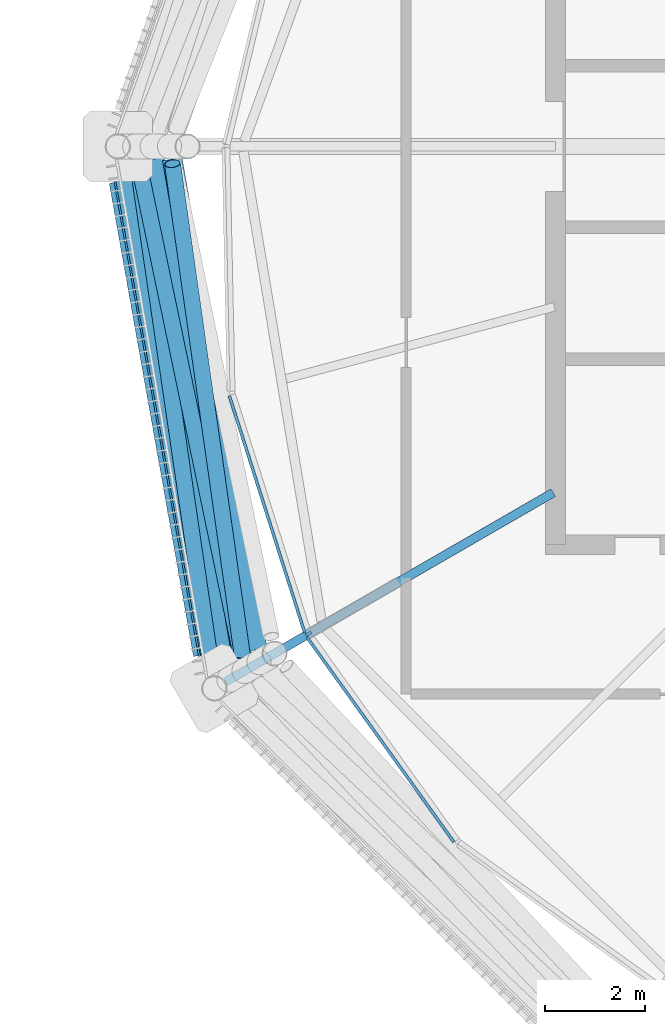
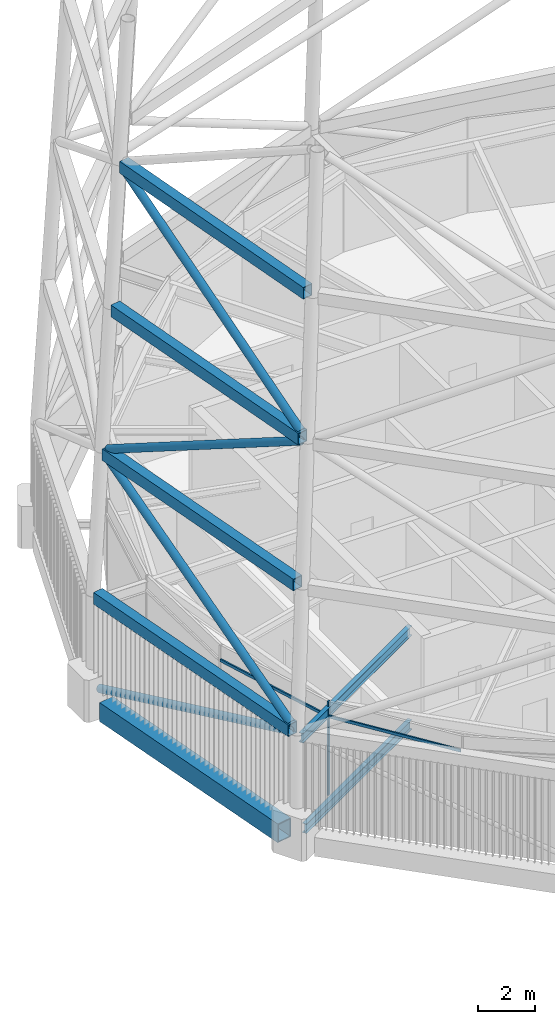
# One storey, part 39 of 71: 7 beams, 7 members, 1 element without a shape of its own.
"""IFC4 building model written with IfcOpenShell, lengths in metres."""

from ifc_helpers import new_model, si_unit, direction, frame, origin, origin_2d, place, context, subcontext, project, spatial, rectangle, hollow_rectangle, hollow_circle, i_section, extrude, material, material_profile, profile_set, type_object, element, aggregate, save


model = new_model("IFC4")

# Units and contexts
model_context = context("Model", 3, precision=1e-05, world=origin(), true_north=direction((0.0, 1.0)))
body_context = subcontext(model_context, "Body", "Model", "MODEL_VIEW")
ifc_project = project(units=[si_unit("LENGTHUNIT", "METRE"), si_unit("AREAUNIT", "SQUARE_METRE"), si_unit("VOLUMEUNIT", "CUBIC_METRE"), si_unit("PLANEANGLEUNIT", "RADIAN"), si_unit("MASSUNIT", "GRAM", prefix="KILO")], contexts=[model_context])

# Site, building, storey
site_placement = place(None, origin())
site = spatial("IfcSite", under=ifc_project, at=site_placement, CompositionType="ELEMENT")
building_placement = place(site_placement, origin())
building = spatial("IfcBuilding", under=site, at=building_placement, Name="Rimbun Link Towers", CompositionType="ELEMENT")
storey_placement = place(building_placement, frame((0.0, 0.0, 267.60009765625)))
storey = spatial("IfcBuildingStorey", under=building, at=storey_placement, Name="L65", CompositionType="ELEMENT", Elevation=267.60009765625)

# Curtain wall, members
ifc_material_1 = material(Name="Aluminium 6063-T6 louvre wall", Category="aluminium")
curtain_wall_type = type_object("IfcCurtainWallType", Name="CW6 plant floor louvre wall", PredefinedType="NOTDEFINED", material=ifc_material_1)
curtain_wall_placement = place(storey_placement, origin())
curtain_wall = element("IfcCurtainWall", 1, at=curtain_wall_placement, inside=storey, type_object=curtain_wall_type, Name="CW6 L65 T2", PredefinedType="NOTDEFINED")
ifc_material_2 = material(Name="Aluminium 6063-T6", Category="aluminium")
ifc_material_profile_1 = material_profile(ifc_material_2, rectangle(XDim=0.1201171875, YDim=0.06005859375, at=origin_2d()), Name="MULLION 60X120")
ifc_profile_set_1 = profile_set([ifc_material_profile_1], Name="Aluminium 6063-T6")
member_type_1 = type_object("IfcMemberType", Name="CW6 mullion 60X120", PredefinedType="MULLION", material=ifc_profile_set_1)
member_1_placement = place(storey_placement, frame((14.79248046875, -9.786376953125, 0.0), z_axis=(0.0, 0.0, 1.0), x_axis=(-0.893751230633, -0.448562969651, 0.0)))
member_1 = element("IfcMember", 2, at=member_1_placement, type_object=member_type_1, Name="CW6 mullion", PredefinedType="MULLION", context=body_context, shape_type="SweptSolid", body=[
    extrude(rectangle(XDim=0.1201171875, YDim=0.06005859375, at=origin_2d()), origin(), (0.0, 0.0, 1.0), 4.0),
])
ifc_material_3 = material(Name="Aluminium 6063-T6", Category="aluminium")
ifc_material_profile_2 = material_profile(ifc_material_3, rectangle(XDim=0.06005859375, YDim=0.1201171875, at=origin_2d()), Name="TRANSOM 60X120")
ifc_profile_set_2 = profile_set([ifc_material_profile_2], Name="Aluminium 6063-T6")
member_type_2 = type_object("IfcMemberType", Name="CW6 transom 60X120", PredefinedType="USERDEFINED", material=ifc_profile_set_2)
member_2_placement = place(storey_placement, frame((14.713134765625, -9.770263671875, 3.39990234375), z_axis=(-0.303050395714, 0.952974531484, 0.0), x_axis=(-0.952974531484, -0.303050395714, 0.0)))
member_2 = element("IfcMember", 3, at=member_2_placement, type_object=member_type_2, Name="CW6 transom", ObjectType="TRANSOM", PredefinedType="USERDEFINED", context=body_context, shape_type="SweptSolid", body=[
    extrude(rectangle(XDim=0.06005859375, YDim=0.1201171875, at=origin_2d()), origin(), (0.0, 0.0, 1.0), 4.997314453125),
])
member_3_placement = place(storey_placement, frame((17.7080078125, -13.970458984375, 3.39990234375), z_axis=(-0.583021444928, 0.812456764852, 0.0), x_axis=(-0.812456764852, -0.583021444928, 0.0)))
member_3 = element("IfcMember", 4, at=member_3_placement, type_object=member_type_2, Name="CW6 transom", ObjectType="TRANSOM", PredefinedType="USERDEFINED", context=body_context, shape_type="SweptSolid", body=[
    extrude(rectangle(XDim=0.06005859375, YDim=0.1201171875, at=origin_2d()), origin(), (0.0, 0.0, 1.0), 5.059814453125),
])
aggregate(curtain_wall, [member_1, member_2, member_3])

# Members
ifc_material_4 = material(Name="Steel S355J2H", Category="steel")
ifc_material_profile_3 = material_profile(ifc_material_4, hollow_circle(Radius=0.161865234375, WallThickness=0.011962890625, at=origin_2d()), Name="Crown frame brace CHS 324x12")
ifc_profile_set_3 = profile_set([ifc_material_profile_3], Name="Steel S355J2H")
member_type_3 = type_object("IfcMemberType", Name="Crown frame brace CHS 324x12", PredefinedType="BRACE", material=ifc_profile_set_3)
member_4_placement = place(storey_placement, frame((11.025390625, -0.370361328125, 0.135986328125), z_axis=(0.16486215819, -0.925781566511, 0.34021898816), x_axis=(0.984511377706, 0.175320698059, 0.0)))
element("IfcMember", 5, at=member_4_placement, inside=storey, type_object=member_type_3, Name="CROWN FRAME brace T2 1-04", PredefinedType="BRACE", context=body_context, shape_type="SweptSolid", body=[
    extrude(hollow_circle(Radius=0.161865234375, WallThickness=0.011962890625, at=origin_2d()), origin(), (0.0, 0.0, 1.0), 10.95703125),
])
member_5_placement = place(storey_placement, frame((12.846923828125, -10.536865234375, 4.19140625), z_axis=(-0.126756665254, 0.868689028083, 0.478865451148), x_axis=(-0.989521128238, -0.144388146228, 0.0)))
element("IfcMember", 6, at=member_5_placement, inside=storey, type_object=member_type_3, Name="CROWN FRAME brace T2 2-04", PredefinedType="BRACE", context=body_context, shape_type="SweptSolid", body=[
    extrude(hollow_circle(Radius=0.161865234375, WallThickness=0.011962890625, at=origin_2d()), origin(), (0.0, 0.0, 1.0), 11.729736328125),
])
member_6_placement = place(storey_placement, frame((11.380615234375, -0.342041015625, 10.19482421875), z_axis=(0.17812141806, -0.855046383638, 0.486999427367), x_axis=(0.978983447595, 0.203939719856, 0.0)))
element("IfcMember", 7, at=member_6_placement, inside=storey, type_object=member_type_3, Name="CROWN FRAME brace T2 3-04", PredefinedType="BRACE", context=body_context, shape_type="SweptSolid", body=[
    extrude(hollow_circle(Radius=0.161865234375, WallThickness=0.011962890625, at=origin_2d()), origin(), (0.0, 0.0, 1.0), 11.520263671875),
])
member_7_placement = place(storey_placement, frame((13.455078125, -10.189453125, 16.1962890625), z_axis=(-0.122357684032, 0.862406728411, 0.491205895678), x_axis=(-0.990084576227, -0.140472530828, 0.0)))
element("IfcMember", 8, at=member_7_placement, inside=storey, type_object=member_type_3, Name="CROWN FRAME brace T2 4-04", PredefinedType="BRACE", context=body_context, shape_type="SweptSolid", body=[
    extrude(hollow_circle(Radius=0.161865234375, WallThickness=0.011962890625, at=origin_2d()), origin(), (0.0, 0.0, 1.0), 11.4150390625),
])

# Beams
ifc_material_5 = material(Name="Steel S355J2", Category="steel")
ifc_material_profile_4 = material_profile(ifc_material_5, hollow_rectangle(XDim=0.39990234375, YDim=0.5, WallThickness=0.02001953125, at=origin_2d()), Name="Crown frame ring beam BOX 400x500x20")
ifc_profile_set_4 = profile_set([ifc_material_profile_4], Name="Steel S355J2")
beam_type_1 = type_object("IfcBeamType", Name="Crown frame ring beam BOX 400x500x20", PredefinedType="BEAM", material=ifc_profile_set_4)
beam_1_placement = place(storey_placement, frame((11.00390625, -0.25, 4.0), z_axis=(0.175333986004, -0.984509011311, 0.0), x_axis=(0.984509011311, 0.175333986004, 0.0)))
element("IfcBeam", 9, at=beam_1_placement, inside=storey, type_object=beam_type_1, Name="CROWN FRAME ring beam T2 1-04", PredefinedType="BEAM", context=body_context, shape_type="SweptSolid", body=[
    extrude(hollow_rectangle(XDim=0.39990234375, YDim=0.5, WallThickness=0.02001953125, at=origin_2d()), origin(), (0.0, 0.0, 1.0), 10.547607421875),
])
beam_2_placement = place(storey_placement, frame((11.353759765625, -0.25, 10.0), z_axis=(0.17388877646, -0.984765298648, 0.0), x_axis=(0.984765298648, 0.17388877646, 0.0)))
element("IfcBeam", 10, at=beam_2_placement, inside=storey, type_object=beam_type_1, Name="CROWN FRAME ring beam T2 2-04", PredefinedType="BEAM", context=body_context, shape_type="SweptSolid", body=[
    extrude(hollow_rectangle(XDim=0.39990234375, YDim=0.5, WallThickness=0.02001953125, at=origin_2d()), origin(), (0.0, 0.0, 1.0), 10.3671875),
])
beam_3_placement = place(storey_placement, frame((11.703369140625, -0.250244140625, 16.0), z_axis=(0.172465792204, -0.985015507756, 0.0), x_axis=(0.985015507756, 0.172465792204, 0.0)))
element("IfcBeam", 11, at=beam_3_placement, inside=storey, type_object=beam_type_1, Name="CROWN FRAME ring beam T2 3-04", PredefinedType="BEAM", context=body_context, shape_type="SweptSolid", body=[
    extrude(hollow_rectangle(XDim=0.39990234375, YDim=0.5, WallThickness=0.02001953125, at=origin_2d()), origin(), (0.0, 0.0, 1.0), 10.1865234375),
])
beam_4_placement = place(storey_placement, frame((12.052978515625, -0.250244140625, 22.0), z_axis=(0.170963269801, -0.985277402755, 0.0), x_axis=(0.985277402755, 0.170963269801, 0.0)))
element("IfcBeam", 12, at=beam_4_placement, inside=storey, type_object=beam_type_1, Name="CROWN FRAME ring beam T2 4-04", PredefinedType="BEAM", context=body_context, shape_type="SweptSolid", body=[
    extrude(hollow_rectangle(XDim=0.39990234375, YDim=0.5, WallThickness=0.02001953125, at=origin_2d()), origin(), (0.0, 0.0, 1.0), 10.006103515625),
])
ifc_material_6 = material(Name="Steel S355J2", Category="steel")
ifc_material_profile_5 = material_profile(ifc_material_6, hollow_rectangle(XDim=0.60009765625, YDim=0.800048828125, WallThickness=0.0400390625, at=origin_2d()), Name="Exoskeleton ring girder BOX 600x800x40")
ifc_profile_set_5 = profile_set([ifc_material_profile_5], Name="Steel S355J2")
beam_type_2 = type_object("IfcBeamType", Name="Exoskeleton ring girder BOX 600x800x40", PredefinedType="BEAM", material=ifc_profile_set_5)
beam_5_placement = place(storey_placement, frame((11.082275390625, -0.689208984375, -0.56005859375), z_axis=(0.175299672263, -0.984515121725, 0.0), x_axis=(0.984515121725, 0.175299672263, 0.0)))
element("IfcBeam", 13, at=beam_5_placement, inside=storey, type_object=beam_type_2, Name="Exoskeleton ring girder L65 04", PredefinedType="BEAM", context=body_context, shape_type="SweptSolid", body=[
    extrude(hollow_rectangle(XDim=0.60009765625, YDim=0.800048828125, WallThickness=0.0400390625, at=origin_2d()), origin(), (0.0, 0.0, 1.0), 9.655517578125),
])
ifc_material_7 = material(Name="Steel S355J2", Category="steel")
ifc_material_profile_6 = material_profile(ifc_material_7, i_section(OverallWidth=0.177978515625, OverallDepth=0.406494140625, WebThickness=0.0078125, FlangeThickness=0.0126953125, at=origin_2d()), Name="UB 406x178x60")
ifc_profile_set_6 = profile_set([ifc_material_profile_6], Name="Steel S355J2")
beam_type_3 = type_object("IfcBeamType", Name="UB 406x178x60", PredefinedType="BEAM", material=ifc_profile_set_6)
beam_6_placement = place(storey_placement, frame((19.70458984375, -6.954345703125, -0.4033203125), z_axis=(-0.866009365951, -0.500027777314, 0.0), x_axis=(0.500027777314, -0.866009365951, 0.0)))
element("IfcBeam", 14, at=beam_6_placement, inside=storey, type_object=beam_type_3, Name="Radial beam T2 L65 11", PredefinedType="BEAM", context=body_context, shape_type="SweptSolid", body=[
    extrude(i_section(OverallWidth=0.177978515625, OverallDepth=0.406494140625, WebThickness=0.0078125, FlangeThickness=0.0126953125, at=origin_2d()), origin(), (0.0, 0.0, 1.0), 7.35986328125),
])
beam_7_placement = place(storey_placement, frame((19.70458984375, -6.954345703125, 3.5966796875), z_axis=(-0.866022425744, -0.500005158081, 0.0), x_axis=(0.500005158081, -0.866022425744, 0.0)))
element("IfcBeam", 15, at=beam_7_placement, inside=storey, type_object=beam_type_3, Name="Radial beam T2 L65 11", PredefinedType="BEAM", context=body_context, shape_type="SweptSolid", body=[
    extrude(i_section(OverallWidth=0.177978515625, OverallDepth=0.406494140625, WebThickness=0.0078125, FlangeThickness=0.0126953125, at=origin_2d()), origin(), (0.0, 0.0, 1.0), 7.60009765625),
])

save(model, "model.ifc")
